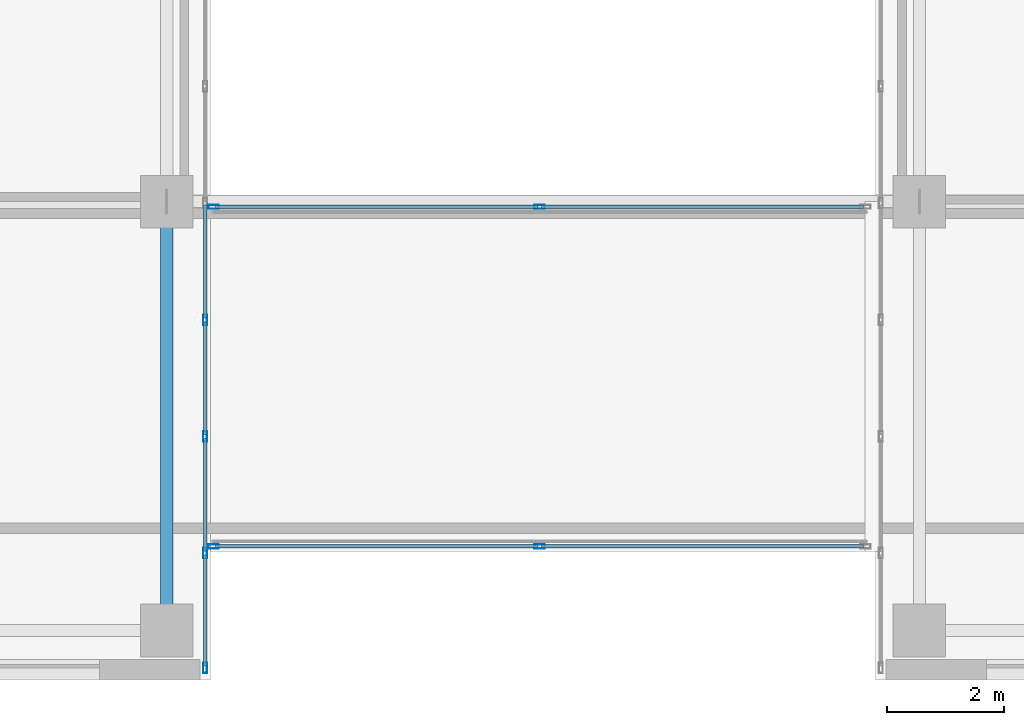
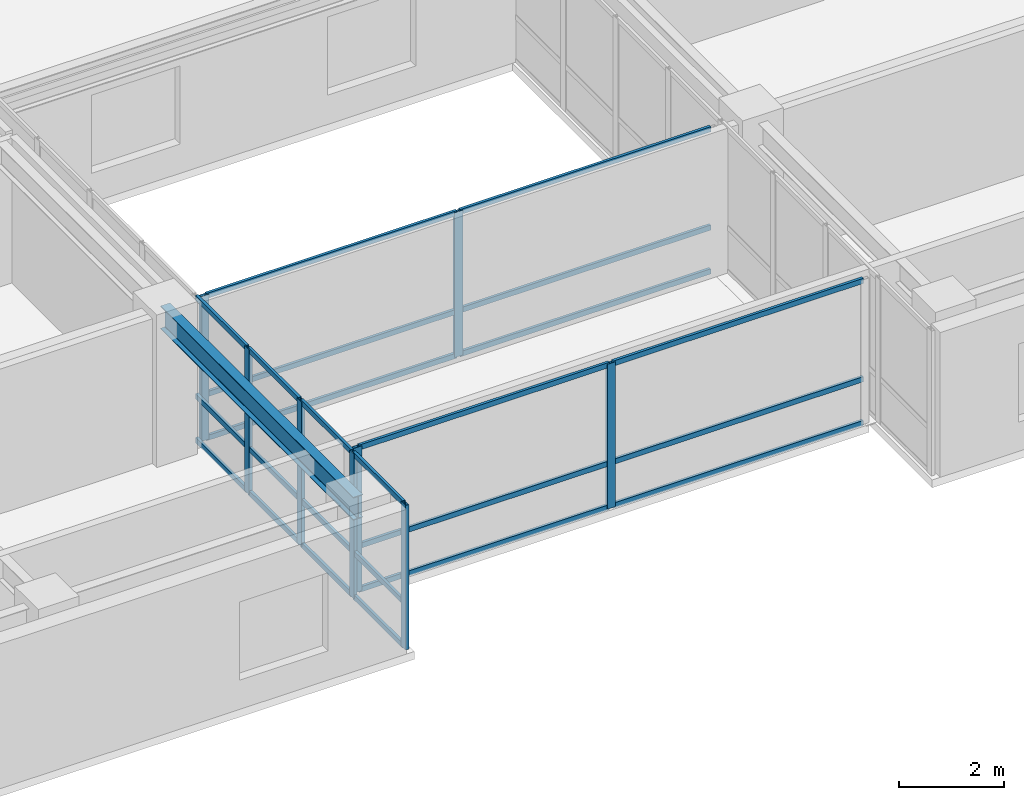
# One storey, part 2 of 25: 32 members, 1 beam, 3 elements without a shape of their own.
"""IFC4 building model written with IfcOpenShell, lengths in metres."""

from ifc_helpers import new_model, si_unit, direction, frame, origin, origin_2d, place, context, subcontext, project, spatial, hollow_rectangle, i_section, extrude, source, transform, mapped, material, layer, layer_set, material_profile, profile_set, type_object, type_shapes, element, aggregate, save


model = new_model("IFC4")

# Units and contexts
model_context = context("Model", 3, precision=1e-05, world=origin(), true_north=direction((0.0, 1.0)))
body_context = subcontext(model_context, "Body", "Model", "MODEL_VIEW")
ifc_project = project(units=[si_unit("LENGTHUNIT", "METRE"), si_unit("AREAUNIT", "SQUARE_METRE"), si_unit("VOLUMEUNIT", "CUBIC_METRE"), si_unit("PLANEANGLEUNIT", "RADIAN"), si_unit("MASSUNIT", "GRAM", prefix="KILO")], contexts=[model_context])

# Site, building, storey
site_placement = place(None, origin())
site = spatial("IfcSite", under=ifc_project, at=site_placement, CompositionType="ELEMENT")
building_placement = place(site_placement, origin())
building = spatial("IfcBuilding", under=site, at=building_placement, Name="Tolvann Quenvar Hotel", CompositionType="ELEMENT")
storey_placement = place(building_placement, frame((0.0, 0.0, 78.14990234375)))
storey = spatial("IfcBuildingStorey", under=building, at=storey_placement, Name="L19", CompositionType="ELEMENT", Elevation=78.14990234375)

# Beam
ifc_material_1 = material(Name="Steel Grade 350", Category="steel")
ifc_material_profile_1 = material_profile(ifc_material_1, i_section(OverallWidth=0.208984375, OverallDepth=0.532958984375, WebThickness=0.01025390625, FlangeThickness=0.015625, FilletRadius=0.013916015625, at=origin_2d()), Name="530UB92")
ifc_profile_set_1 = profile_set([ifc_material_profile_1], Name="Steel Grade 350")
beam_type = type_object("IfcBeamType", Name="BM_GIRD_530UB92", PredefinedType="BEAM", material=ifc_profile_set_1)
shared_shape_1 = source(origin(), body_context, "Body", "SweptSolid", [
    extrude(i_section(OverallWidth=0.208984375, OverallDepth=0.532958984375, WebThickness=0.01025390625, FlangeThickness=0.015625, FilletRadius=0.013916015625, at=origin_2d()), origin(), (0.0, 0.0, 1.0), 7.349853515625),
])
type_shapes(beam_type, [shared_shape_1])
beam_placement = place(storey_placement, frame((22.050048828125, 0.85009765625, 3.103515625), z_axis=(0.0, 1.0, 0.0), x_axis=(-1.0, 0.0, 0.0)))
element("IfcBeam", 1, at=beam_placement, inside=storey, type_object=beam_type, Name="BM-L19-NS-E2-E3", PredefinedType="BEAM", context=body_context, shape_type="MappedRepresentation", body=[
    mapped(shared_shape_1, transform((0.0, 0.0, 0.0), x_axis=(1.0, 0.0, 0.0), y_axis=(0.0, 1.0, 0.0), z_axis=(0.0, 0.0, 1.0), scale=1.0)),
])

# Curtain wall, members
ifc_material_2 = material(Name="Thermally broken anodised architectural aluminium 6063-T6 and laminated low-E glass", Category="aluminium")
ifc_layer = layer(ifc_material_2, 0.179931640625)
ifc_layer_set = layer_set([ifc_layer], Name="Thermally broken anodised architectural aluminium 6063-T6 and laminated low-E glass")
curtain_wall_type = type_object("IfcCurtainWallType", Name="CW_SYS_SLOT_03", PredefinedType="USERDEFINED", material=ifc_layer_set)
curtain_wall_1_placement = place(storey_placement, origin())
curtain_wall_1 = element("IfcCurtainWall", 2, at=curtain_wall_1_placement, inside=storey, type_object=curtain_wall_type, Name="Curtain Wall CW-SLOT-03 (CWR-L19-E05)", ObjectType="UNITISED CURTAIN WALL", PredefinedType="USERDEFINED")
ifc_material_3 = material(Name="Anodised architectural aluminium 6063-T6 framing", Category="aluminium")
ifc_material_profile_2 = material_profile(ifc_material_3, hollow_rectangle(XDim=0.070068359375, YDim=0.179931640625, WallThickness=0.00390625, at=origin_2d()), Name="180x70x4RHS")
ifc_profile_set_2 = profile_set([ifc_material_profile_2], Name="Anodised architectural aluminium 6063-T6 framing")
member_type_1 = type_object("IfcMemberType", Name="CW_MULL_180x70", PredefinedType="MULLION", material=ifc_profile_set_2)
shared_shape_2 = source(origin(), body_context, "Body", "SweptSolid", [
    extrude(hollow_rectangle(XDim=0.070068359375, YDim=0.179931640625, WallThickness=0.00390625, at=origin_2d()), origin(), (0.0, 0.0, 1.0), 3.3701171875),
])
type_shapes(member_type_1, [shared_shape_2])
member_1_placement = place(storey_placement, frame((22.7099609375, 0.2099609375, 0.0), z_axis=(0.0, 0.0, 1.0), x_axis=(-1.0, 0.0, 0.0)))
member_1 = element("IfcMember", 3, at=member_1_placement, type_object=member_type_1, Name="CW-SLOT-03 mullion 1", PredefinedType="MULLION", context=body_context, shape_type="MappedRepresentation", body=[
    mapped(shared_shape_2, transform((0.0, 0.0, 0.0), x_axis=(1.0, 0.0, 0.0), y_axis=(0.0, 1.0, 0.0), z_axis=(0.0, 0.0, 1.0), scale=1.0)),
])
member_2_placement = place(storey_placement, frame((22.7099609375, 2.175048828125, 0.0), z_axis=(0.0, 0.0, 1.0), x_axis=(-1.0, 0.0, 0.0)))
member_2 = element("IfcMember", 4, at=member_2_placement, type_object=member_type_1, Name="CW-SLOT-03 mullion 2", PredefinedType="MULLION", context=body_context, shape_type="MappedRepresentation", body=[
    mapped(shared_shape_2, transform((0.0, 0.0, 0.0), x_axis=(1.0, 0.0, 0.0), y_axis=(0.0, 1.0, 0.0), z_axis=(0.0, 0.0, 1.0), scale=1.0)),
])
member_3_placement = place(storey_placement, frame((22.7099609375, 4.175048828125, 0.0), z_axis=(0.0, 0.0, 1.0), x_axis=(-1.0, 0.0, 0.0)))
member_3 = element("IfcMember", 5, at=member_3_placement, type_object=member_type_1, Name="CW-SLOT-03 mullion 3", PredefinedType="MULLION", context=body_context, shape_type="MappedRepresentation", body=[
    mapped(shared_shape_2, transform((0.0, 0.0, 0.0), x_axis=(1.0, 0.0, 0.0), y_axis=(0.0, 1.0, 0.0), z_axis=(0.0, 0.0, 1.0), scale=1.0)),
])
member_4_placement = place(storey_placement, frame((22.7099609375, 6.175048828125, 0.0), z_axis=(0.0, 0.0, 1.0), x_axis=(-1.0, 0.0, 0.0)))
member_4 = element("IfcMember", 6, at=member_4_placement, type_object=member_type_1, Name="CW-SLOT-03 mullion 4", PredefinedType="MULLION", context=body_context, shape_type="MappedRepresentation", body=[
    mapped(shared_shape_2, transform((0.0, 0.0, 0.0), x_axis=(1.0, 0.0, 0.0), y_axis=(0.0, 1.0, 0.0), z_axis=(0.0, 0.0, 1.0), scale=1.0)),
])

curtain_wall_2_placement = place(storey_placement, origin())
curtain_wall_2 = element("IfcCurtainWall", 7, at=curtain_wall_2_placement, inside=storey, type_object=curtain_wall_type, Name="Curtain Wall CW-SLOT-03 (CWR-BRG-L19-S)", ObjectType="UNITISED CURTAIN WALL", PredefinedType="USERDEFINED")
member_5_placement = place(storey_placement, frame((22.85498046875, 2.2900390625, 0.0), z_axis=(0.0, 0.0, 1.0), x_axis=(0.0, 1.0, 0.0)))
member_5 = element("IfcMember", 8, at=member_5_placement, type_object=member_type_1, Name="CW-SLOT-03 mullion 1", PredefinedType="MULLION", context=body_context, shape_type="MappedRepresentation", body=[
    mapped(shared_shape_2, transform((0.0, 0.0, 0.0), x_axis=(1.0, 0.0, 0.0), y_axis=(0.0, 1.0, 0.0), z_axis=(0.0, 0.0, 1.0), scale=1.0)),
])
member_6_placement = place(storey_placement, frame((28.43994140625, 2.2900390625, 0.0), z_axis=(0.0, 0.0, 1.0), x_axis=(0.0, 1.0, 0.0)))
member_6 = element("IfcMember", 9, at=member_6_placement, type_object=member_type_1, Name="CW-SLOT-03 mullion 2", PredefinedType="MULLION", context=body_context, shape_type="MappedRepresentation", body=[
    mapped(shared_shape_2, transform((0.0, 0.0, 0.0), x_axis=(1.0, 0.0, 0.0), y_axis=(0.0, 1.0, 0.0), z_axis=(0.0, 0.0, 1.0), scale=1.0)),
])

curtain_wall_3_placement = place(storey_placement, origin())
curtain_wall_3 = element("IfcCurtainWall", 10, at=curtain_wall_3_placement, inside=storey, type_object=curtain_wall_type, Name="Curtain Wall CW-SLOT-03 (CWR-BRG-L19-N)", ObjectType="UNITISED CURTAIN WALL", PredefinedType="USERDEFINED")
member_7_placement = place(storey_placement, frame((28.43994140625, 8.110107421875, 0.0), z_axis=(0.0, 0.0, 1.0), x_axis=(0.0, -1.0, 0.0)))
member_7 = element("IfcMember", 11, at=member_7_placement, type_object=member_type_1, Name="CW-SLOT-03 mullion 2", PredefinedType="MULLION", context=body_context, shape_type="MappedRepresentation", body=[
    mapped(shared_shape_2, transform((0.0, 0.0, 0.0), x_axis=(1.0, 0.0, 0.0), y_axis=(0.0, 1.0, 0.0), z_axis=(0.0, 0.0, 1.0), scale=1.0)),
])
member_8_placement = place(storey_placement, frame((22.85498046875, 8.110107421875, 0.0), z_axis=(0.0, 0.0, 1.0), x_axis=(0.0, -1.0, 0.0)))
member_8 = element("IfcMember", 12, at=member_8_placement, type_object=member_type_1, Name="CW-SLOT-03 mullion 3", PredefinedType="MULLION", context=body_context, shape_type="MappedRepresentation", body=[
    mapped(shared_shape_2, transform((0.0, 0.0, 0.0), x_axis=(1.0, 0.0, 0.0), y_axis=(0.0, 1.0, 0.0), z_axis=(0.0, 0.0, 1.0), scale=1.0)),
])

# Member
ifc_material_profile_3 = material_profile(ifc_material_3, hollow_rectangle(XDim=0.06005859375, YDim=0.1201171875, WallThickness=0.00341796875, at=origin_2d()), Name="120x60x3.5RHS")
ifc_profile_set_3 = profile_set([ifc_material_profile_3], Name="Anodised architectural aluminium 6063-T6 framing")
member_type_2 = type_object("IfcMemberType", Name="CW_TRAN_120x60", PredefinedType="USERDEFINED", material=ifc_profile_set_3)
shared_shape_3 = source(origin(), body_context, "Body", "SweptSolid", [
    extrude(hollow_rectangle(XDim=0.06005859375, YDim=0.1201171875, WallThickness=0.00341796875, at=origin_2d()), origin(), (0.0, 0.0, 1.0), 1.894775390625),
])
member_9_placement = place(storey_placement, frame((22.7099609375, 0.2451171875, 0.030029296875), z_axis=(0.0, 1.0, 0.0), x_axis=(-1.0, 0.0, 0.0)))
member_9 = element("IfcMember", 13, at=member_9_placement, type_object=member_type_2, Name="CW-SLOT-03 transom 1.1", ObjectType="TRANSOM", PredefinedType="USERDEFINED", context=body_context, shape_type="MappedRepresentation", body=[
    mapped(shared_shape_3, transform((0.0, 0.0, 0.0), x_axis=(1.0, 0.0, 0.0), y_axis=(0.0, 1.0, 0.0), z_axis=(0.0, 0.0, 1.0), scale=1.0)),
])

member_10_placement = place(storey_placement, frame((22.7099609375, 0.2451171875, 1.050048828125), z_axis=(0.0, 1.0, 0.0), x_axis=(-1.0, 0.0, 0.0)))
member_10 = element("IfcMember", 14, at=member_10_placement, type_object=member_type_2, Name="CW-SLOT-03 transom 1.2", ObjectType="TRANSOM", PredefinedType="USERDEFINED", context=body_context, shape_type="MappedRepresentation", body=[
    mapped(shared_shape_3, transform((0.0, 0.0, 0.0), x_axis=(1.0, 0.0, 0.0), y_axis=(0.0, 1.0, 0.0), z_axis=(0.0, 0.0, 1.0), scale=1.0)),
])

member_11_placement = place(storey_placement, frame((22.7099609375, 0.2451171875, 3.340087890625), z_axis=(0.0, 1.0, 0.0), x_axis=(-1.0, 0.0, 0.0)))
member_11 = element("IfcMember", 15, at=member_11_placement, type_object=member_type_2, Name="CW-SLOT-03 transom 1.3", ObjectType="TRANSOM", PredefinedType="USERDEFINED", context=body_context, shape_type="MappedRepresentation", body=[
    mapped(shared_shape_3, transform((0.0, 0.0, 0.0), x_axis=(1.0, 0.0, 0.0), y_axis=(0.0, 1.0, 0.0), z_axis=(0.0, 0.0, 1.0), scale=1.0)),
])

shared_shape_4 = source(origin(), body_context, "Body", "SweptSolid", [
    extrude(hollow_rectangle(XDim=0.06005859375, YDim=0.1201171875, WallThickness=0.00341796875, at=origin_2d()), origin(), (0.0, 0.0, 1.0), 1.929931640625),
])
member_12_placement = place(storey_placement, frame((22.7099609375, 2.2099609375, 0.030029296875), z_axis=(0.0, 1.0, 0.0), x_axis=(-1.0, 0.0, 0.0)))
member_12 = element("IfcMember", 16, at=member_12_placement, type_object=member_type_2, Name="CW-SLOT-03 transom 2.1", ObjectType="TRANSOM", PredefinedType="USERDEFINED", context=body_context, shape_type="MappedRepresentation", body=[
    mapped(shared_shape_4, transform((0.0, 0.0, 0.0), x_axis=(1.0, 0.0, 0.0), y_axis=(0.0, 1.0, 0.0), z_axis=(0.0, 0.0, 1.0), scale=1.0)),
])

member_13_placement = place(storey_placement, frame((22.7099609375, 2.2099609375, 1.050048828125), z_axis=(0.0, 1.0, 0.0), x_axis=(-1.0, 0.0, 0.0)))
member_13 = element("IfcMember", 17, at=member_13_placement, type_object=member_type_2, Name="CW-SLOT-03 transom 2.2", ObjectType="TRANSOM", PredefinedType="USERDEFINED", context=body_context, shape_type="MappedRepresentation", body=[
    mapped(shared_shape_4, transform((0.0, 0.0, 0.0), x_axis=(1.0, 0.0, 0.0), y_axis=(0.0, 1.0, 0.0), z_axis=(0.0, 0.0, 1.0), scale=1.0)),
])

member_14_placement = place(storey_placement, frame((22.7099609375, 2.2099609375, 3.340087890625), z_axis=(0.0, 1.0, 0.0), x_axis=(-1.0, 0.0, 0.0)))
member_14 = element("IfcMember", 18, at=member_14_placement, type_object=member_type_2, Name="CW-SLOT-03 transom 2.3", ObjectType="TRANSOM", PredefinedType="USERDEFINED", context=body_context, shape_type="MappedRepresentation", body=[
    mapped(shared_shape_4, transform((0.0, 0.0, 0.0), x_axis=(1.0, 0.0, 0.0), y_axis=(0.0, 1.0, 0.0), z_axis=(0.0, 0.0, 1.0), scale=1.0)),
])

member_15_placement = place(storey_placement, frame((22.7099609375, 4.2099609375, 0.030029296875), z_axis=(0.0, 1.0, 0.0), x_axis=(-1.0, 0.0, 0.0)))
member_15 = element("IfcMember", 19, at=member_15_placement, type_object=member_type_2, Name="CW-SLOT-03 transom 3.1", ObjectType="TRANSOM", PredefinedType="USERDEFINED", context=body_context, shape_type="MappedRepresentation", body=[
    mapped(shared_shape_4, transform((0.0, 0.0, 0.0), x_axis=(1.0, 0.0, 0.0), y_axis=(0.0, 1.0, 0.0), z_axis=(0.0, 0.0, 1.0), scale=1.0)),
])

member_16_placement = place(storey_placement, frame((22.7099609375, 4.2099609375, 1.050048828125), z_axis=(0.0, 1.0, 0.0), x_axis=(-1.0, 0.0, 0.0)))
member_16 = element("IfcMember", 20, at=member_16_placement, type_object=member_type_2, Name="CW-SLOT-03 transom 3.2", ObjectType="TRANSOM", PredefinedType="USERDEFINED", context=body_context, shape_type="MappedRepresentation", body=[
    mapped(shared_shape_4, transform((0.0, 0.0, 0.0), x_axis=(1.0, 0.0, 0.0), y_axis=(0.0, 1.0, 0.0), z_axis=(0.0, 0.0, 1.0), scale=1.0)),
])

member_17_placement = place(storey_placement, frame((22.7099609375, 4.2099609375, 3.340087890625), z_axis=(0.0, 1.0, 0.0), x_axis=(-1.0, 0.0, 0.0)))
member_17 = element("IfcMember", 21, at=member_17_placement, type_object=member_type_2, Name="CW-SLOT-03 transom 3.3", ObjectType="TRANSOM", PredefinedType="USERDEFINED", context=body_context, shape_type="MappedRepresentation", body=[
    mapped(shared_shape_4, transform((0.0, 0.0, 0.0), x_axis=(1.0, 0.0, 0.0), y_axis=(0.0, 1.0, 0.0), z_axis=(0.0, 0.0, 1.0), scale=1.0)),
])

member_18_placement = place(storey_placement, frame((22.7099609375, 6.2099609375, 0.030029296875), z_axis=(0.0, 1.0, 0.0), x_axis=(-1.0, 0.0, 0.0)))
member_18 = element("IfcMember", 22, at=member_18_placement, type_object=member_type_2, Name="CW-SLOT-03 transom 4.1", ObjectType="TRANSOM", PredefinedType="USERDEFINED", context=body_context, shape_type="MappedRepresentation", body=[
    mapped(shared_shape_4, transform((0.0, 0.0, 0.0), x_axis=(1.0, 0.0, 0.0), y_axis=(0.0, 1.0, 0.0), z_axis=(0.0, 0.0, 1.0), scale=1.0)),
])

member_19_placement = place(storey_placement, frame((22.7099609375, 6.2099609375, 1.050048828125), z_axis=(0.0, 1.0, 0.0), x_axis=(-1.0, 0.0, 0.0)))
member_19 = element("IfcMember", 23, at=member_19_placement, type_object=member_type_2, Name="CW-SLOT-03 transom 4.2", ObjectType="TRANSOM", PredefinedType="USERDEFINED", context=body_context, shape_type="MappedRepresentation", body=[
    mapped(shared_shape_4, transform((0.0, 0.0, 0.0), x_axis=(1.0, 0.0, 0.0), y_axis=(0.0, 1.0, 0.0), z_axis=(0.0, 0.0, 1.0), scale=1.0)),
])

member_20_placement = place(storey_placement, frame((22.7099609375, 6.2099609375, 3.340087890625), z_axis=(0.0, 1.0, 0.0), x_axis=(-1.0, 0.0, 0.0)))
member_20 = element("IfcMember", 24, at=member_20_placement, type_object=member_type_2, Name="CW-SLOT-03 transom 4.3", ObjectType="TRANSOM", PredefinedType="USERDEFINED", context=body_context, shape_type="MappedRepresentation", body=[
    mapped(shared_shape_4, transform((0.0, 0.0, 0.0), x_axis=(1.0, 0.0, 0.0), y_axis=(0.0, 1.0, 0.0), z_axis=(0.0, 0.0, 1.0), scale=1.0)),
])

aggregate(curtain_wall_1, [member_1, member_2, member_3, member_4, member_9, member_10, member_11, member_12, member_13, member_14, member_15, member_16, member_17, member_18, member_19, member_20])

shared_shape_5 = source(origin(), body_context, "Body", "SweptSolid", [
    extrude(hollow_rectangle(XDim=0.06005859375, YDim=0.1201171875, WallThickness=0.00341796875, at=origin_2d()), origin(), (0.0, 0.0, 1.0), 5.51513671875),
])
member_21_placement = place(storey_placement, frame((22.889892578125, 2.2900390625, 0.030029296875), z_axis=(1.0, 0.0, 0.0), x_axis=(0.0, 1.0, 0.0)))
member_21 = element("IfcMember", 25, at=member_21_placement, type_object=member_type_2, Name="CW-SLOT-03 transom 1.1", ObjectType="TRANSOM", PredefinedType="USERDEFINED", context=body_context, shape_type="MappedRepresentation", body=[
    mapped(shared_shape_5, transform((0.0, 0.0, 0.0), x_axis=(1.0, 0.0, 0.0), y_axis=(0.0, 1.0, 0.0), z_axis=(0.0, 0.0, 1.0), scale=1.0)),
])

member_22_placement = place(storey_placement, frame((22.889892578125, 2.2900390625, 1.050048828125), z_axis=(1.0, 0.0, 0.0), x_axis=(0.0, 1.0, 0.0)))
member_22 = element("IfcMember", 26, at=member_22_placement, type_object=member_type_2, Name="CW-SLOT-03 transom 1.2", ObjectType="TRANSOM", PredefinedType="USERDEFINED", context=body_context, shape_type="MappedRepresentation", body=[
    mapped(shared_shape_5, transform((0.0, 0.0, 0.0), x_axis=(1.0, 0.0, 0.0), y_axis=(0.0, 1.0, 0.0), z_axis=(0.0, 0.0, 1.0), scale=1.0)),
])

member_23_placement = place(storey_placement, frame((22.889892578125, 2.2900390625, 3.340087890625), z_axis=(1.0, 0.0, 0.0), x_axis=(0.0, 1.0, 0.0)))
member_23 = element("IfcMember", 27, at=member_23_placement, type_object=member_type_2, Name="CW-SLOT-03 transom 1.3", ObjectType="TRANSOM", PredefinedType="USERDEFINED", context=body_context, shape_type="MappedRepresentation", body=[
    mapped(shared_shape_5, transform((0.0, 0.0, 0.0), x_axis=(1.0, 0.0, 0.0), y_axis=(0.0, 1.0, 0.0), z_axis=(0.0, 0.0, 1.0), scale=1.0)),
])

member_24_placement = place(storey_placement, frame((28.405029296875, 8.110107421875, 0.030029296875), z_axis=(-1.0, 0.0, 0.0), x_axis=(0.0, -1.0, 0.0)))
member_24 = element("IfcMember", 28, at=member_24_placement, type_object=member_type_2, Name="CW-SLOT-03 transom 2.1", ObjectType="TRANSOM", PredefinedType="USERDEFINED", context=body_context, shape_type="MappedRepresentation", body=[
    mapped(shared_shape_5, transform((0.0, 0.0, 0.0), x_axis=(1.0, 0.0, 0.0), y_axis=(0.0, 1.0, 0.0), z_axis=(0.0, 0.0, 1.0), scale=1.0)),
])

member_25_placement = place(storey_placement, frame((28.405029296875, 8.110107421875, 1.050048828125), z_axis=(-1.0, 0.0, 0.0), x_axis=(0.0, -1.0, 0.0)))
member_25 = element("IfcMember", 29, at=member_25_placement, type_object=member_type_2, Name="CW-SLOT-03 transom 2.2", ObjectType="TRANSOM", PredefinedType="USERDEFINED", context=body_context, shape_type="MappedRepresentation", body=[
    mapped(shared_shape_5, transform((0.0, 0.0, 0.0), x_axis=(1.0, 0.0, 0.0), y_axis=(0.0, 1.0, 0.0), z_axis=(0.0, 0.0, 1.0), scale=1.0)),
])

member_26_placement = place(storey_placement, frame((28.405029296875, 8.110107421875, 3.340087890625), z_axis=(-1.0, 0.0, 0.0), x_axis=(0.0, -1.0, 0.0)))
member_26 = element("IfcMember", 30, at=member_26_placement, type_object=member_type_2, Name="CW-SLOT-03 transom 2.3", ObjectType="TRANSOM", PredefinedType="USERDEFINED", context=body_context, shape_type="MappedRepresentation", body=[
    mapped(shared_shape_5, transform((0.0, 0.0, 0.0), x_axis=(1.0, 0.0, 0.0), y_axis=(0.0, 1.0, 0.0), z_axis=(0.0, 0.0, 1.0), scale=1.0)),
])

shared_shape_6 = source(origin(), body_context, "Body", "SweptSolid", [
    extrude(hollow_rectangle(XDim=0.06005859375, YDim=0.1201171875, WallThickness=0.00341796875, at=origin_2d()), origin(), (0.0, 0.0, 1.0), 5.514892578125),
])
type_shapes(member_type_2, [shared_shape_3, shared_shape_4, shared_shape_5, shared_shape_6])
member_27_placement = place(storey_placement, frame((28.47509765625, 2.2900390625, 0.030029296875), z_axis=(1.0, 0.0, 0.0), x_axis=(0.0, 1.0, 0.0)))
member_27 = element("IfcMember", 31, at=member_27_placement, type_object=member_type_2, Name="CW-SLOT-03 transom 2.1", ObjectType="TRANSOM", PredefinedType="USERDEFINED", context=body_context, shape_type="MappedRepresentation", body=[
    mapped(shared_shape_6, transform((0.0, 0.0, 0.0), x_axis=(1.0, 0.0, 0.0), y_axis=(0.0, 1.0, 0.0), z_axis=(0.0, 0.0, 1.0), scale=1.0)),
])

member_28_placement = place(storey_placement, frame((28.47509765625, 2.2900390625, 1.050048828125), z_axis=(1.0, 0.0, 0.0), x_axis=(0.0, 1.0, 0.0)))
member_28 = element("IfcMember", 32, at=member_28_placement, type_object=member_type_2, Name="CW-SLOT-03 transom 2.2", ObjectType="TRANSOM", PredefinedType="USERDEFINED", context=body_context, shape_type="MappedRepresentation", body=[
    mapped(shared_shape_6, transform((0.0, 0.0, 0.0), x_axis=(1.0, 0.0, 0.0), y_axis=(0.0, 1.0, 0.0), z_axis=(0.0, 0.0, 1.0), scale=1.0)),
])

member_29_placement = place(storey_placement, frame((28.47509765625, 2.2900390625, 3.340087890625), z_axis=(1.0, 0.0, 0.0), x_axis=(0.0, 1.0, 0.0)))
member_29 = element("IfcMember", 33, at=member_29_placement, type_object=member_type_2, Name="CW-SLOT-03 transom 2.3", ObjectType="TRANSOM", PredefinedType="USERDEFINED", context=body_context, shape_type="MappedRepresentation", body=[
    mapped(shared_shape_6, transform((0.0, 0.0, 0.0), x_axis=(1.0, 0.0, 0.0), y_axis=(0.0, 1.0, 0.0), z_axis=(0.0, 0.0, 1.0), scale=1.0)),
])

aggregate(curtain_wall_2, [member_5, member_6, member_21, member_22, member_23, member_27, member_28, member_29])

member_30_placement = place(storey_placement, frame((33.989990234375, 8.110107421875, 0.030029296875), z_axis=(-1.0, 0.0, 0.0), x_axis=(0.0, -1.0, 0.0)))
member_30 = element("IfcMember", 34, at=member_30_placement, type_object=member_type_2, Name="CW-SLOT-03 transom 1.1", ObjectType="TRANSOM", PredefinedType="USERDEFINED", context=body_context, shape_type="MappedRepresentation", body=[
    mapped(shared_shape_6, transform((0.0, 0.0, 0.0), x_axis=(1.0, 0.0, 0.0), y_axis=(0.0, 1.0, 0.0), z_axis=(0.0, 0.0, 1.0), scale=1.0)),
])

member_31_placement = place(storey_placement, frame((33.989990234375, 8.110107421875, 1.050048828125), z_axis=(-1.0, 0.0, 0.0), x_axis=(0.0, -1.0, 0.0)))
member_31 = element("IfcMember", 35, at=member_31_placement, type_object=member_type_2, Name="CW-SLOT-03 transom 1.2", ObjectType="TRANSOM", PredefinedType="USERDEFINED", context=body_context, shape_type="MappedRepresentation", body=[
    mapped(shared_shape_6, transform((0.0, 0.0, 0.0), x_axis=(1.0, 0.0, 0.0), y_axis=(0.0, 1.0, 0.0), z_axis=(0.0, 0.0, 1.0), scale=1.0)),
])

member_32_placement = place(storey_placement, frame((33.989990234375, 8.110107421875, 3.340087890625), z_axis=(-1.0, 0.0, 0.0), x_axis=(0.0, -1.0, 0.0)))
member_32 = element("IfcMember", 36, at=member_32_placement, type_object=member_type_2, Name="CW-SLOT-03 transom 1.3", ObjectType="TRANSOM", PredefinedType="USERDEFINED", context=body_context, shape_type="MappedRepresentation", body=[
    mapped(shared_shape_6, transform((0.0, 0.0, 0.0), x_axis=(1.0, 0.0, 0.0), y_axis=(0.0, 1.0, 0.0), z_axis=(0.0, 0.0, 1.0), scale=1.0)),
])

aggregate(curtain_wall_3, [member_7, member_8, member_30, member_31, member_32, member_24, member_25, member_26])

save(model, "model.ifc")
